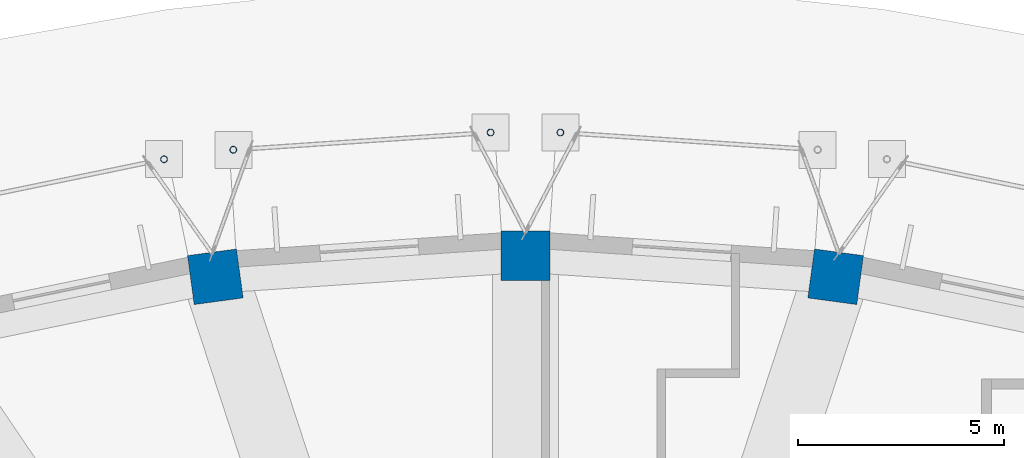
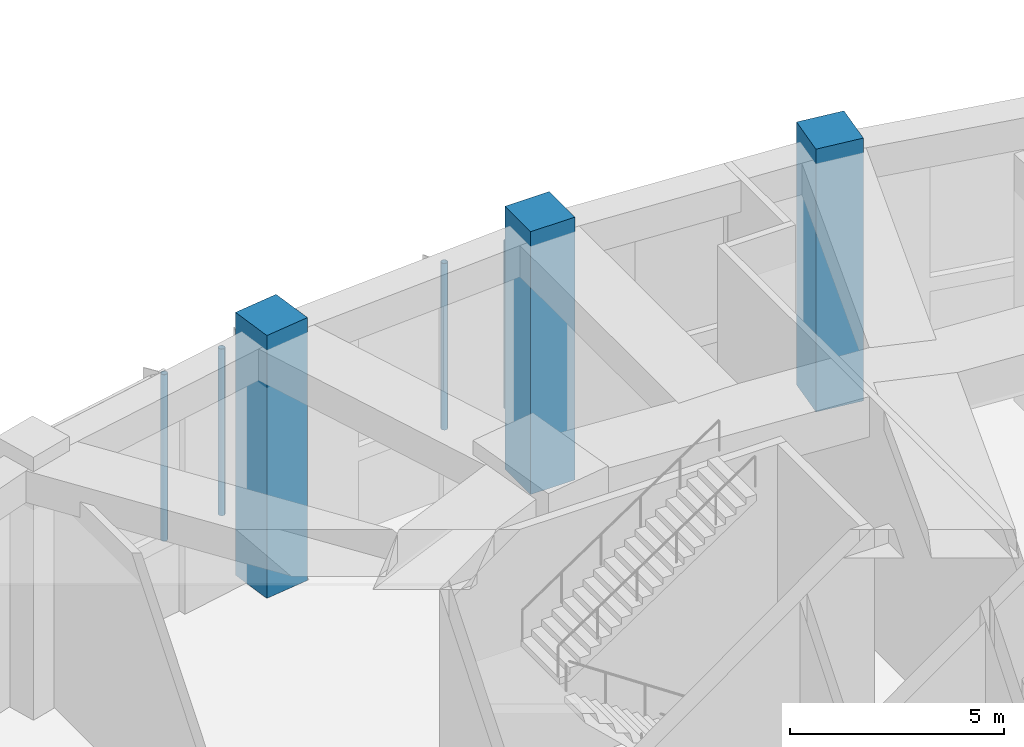
# One storey, part 19 of 60: 7 columns.
"""IFC4 building model written with IfcOpenShell, lengths in metres."""

from ifc_helpers import new_model, si_unit, direction, frame, origin, origin_2d, place, context, subcontext, project, spatial, rectangle, hollow_circle, extrude, material, material_profile, profile_set, type_object, element, save


model = new_model("IFC4")

# Units and contexts
model_context = context("Model", 3, precision=1e-05, world=origin(), true_north=direction((0.0, 1.0)))
body_context = subcontext(model_context, "Body", "Model", "MODEL_VIEW")
ifc_project = project(units=[si_unit("LENGTHUNIT", "METRE"), si_unit("AREAUNIT", "SQUARE_METRE"), si_unit("VOLUMEUNIT", "CUBIC_METRE"), si_unit("PLANEANGLEUNIT", "RADIAN"), si_unit("MASSUNIT", "GRAM", prefix="KILO")], contexts=[model_context])

# Site, building, storey
site_placement = place(None, origin())
site = spatial("IfcSite", under=ifc_project, at=site_placement, CompositionType="ELEMENT")
building_placement = place(site_placement, origin())
building = spatial("IfcBuilding", under=site, at=building_placement, Name="Taillehof Tower", CompositionType="ELEMENT")
storey_placement = place(building_placement, origin())
storey = spatial("IfcBuildingStorey", under=building, at=storey_placement, Name="L00", CompositionType="ELEMENT", Elevation=0.0)

# Columns
ifc_material_1 = material(Name="Steel S460M", Category="steel")
ifc_material_profile_1 = material_profile(ifc_material_1, hollow_circle(Radius=0.084228515625, WallThickness=0.008056640625, at=origin_2d()), Name="CHS 168.3x8")
ifc_profile_set_1 = profile_set([ifc_material_profile_1], Name="Steel S460M")
column_type_1 = type_object("IfcColumnType", Name="Canopy post CHS 168.3x8", PredefinedType="COLUMN", material=ifc_profile_set_1)
for number, where, z_axis, x_axis, name in (
    (1, (0.847900390625, 36.3994140625, -0.199951171875), (0.0, 0.0, 1.0), (1.0, 0.0, 0.0), "Canopy post E12"),
    (2, (-0.847900390625, 36.3994140625, -0.199951171875), (0.0, 0.0, 1.0), (1.0, 0.0, 0.0), "Canopy post E16"),
    (3, (-7.098388671875, 35.978515625, -0.199951171875), (0.0, 0.0, 1.0), (1.0, 0.0, 0.0), "Canopy post E16"),
    (4, (-8.783203125, 35.749267578125, -0.199951171875), (0.0, 0.0, 1.0), (1.0, 0.0, 0.0), "Canopy post E17"),
):
    element("IfcColumn", number, at=place(storey_placement, frame(where, z_axis=z_axis, x_axis=x_axis)), inside=storey, type_object=column_type_1, Name=name, PredefinedType="COLUMN", context=body_context, shape_type="SweptSolid", body=[
        extrude(hollow_circle(Radius=0.084228515625, WallThickness=0.008056640625, at=origin_2d()), origin(), (0.0, 0.0, 1.0), 4.7548828125),
    ])
ifc_material_2 = material(Name="Concrete C60/75", Category="concrete")
ifc_material_profile_2 = material_profile(ifc_material_2, rectangle(XDim=1.199951171875, YDim=1.199951171875, at=origin_2d()), Name="RC 1200x1200")
ifc_profile_set_2 = profile_set([ifc_material_profile_2], Name="Concrete C60/75")
column_type_2 = type_object("IfcColumnType", Name="Podium column C60/75 1200x1200", PredefinedType="COLUMN", material=ifc_profile_set_2)
for number, where, z_axis, x_axis, name in (
    (5, (7.536376953125, 32.892578125, 0.0), (0.0, 0.0, 1.0), (0.13500518998, 0.990844891332, 0.0), "Podium column PC09"),
    (6, (0.0, 33.39990234375, 0.0), (0.0, 0.0, 1.0), (0.0, 1.0, 0.0), "Podium column PC10"),
    (7, (-7.536376953125, 32.892578125, 0.0), (0.0, 0.0, 1.0), (-0.13500518998, 0.990844891332, 0.0), "Podium column PC11"),
):
    element("IfcColumn", number, at=place(storey_placement, frame(where, z_axis=z_axis, x_axis=x_axis)), inside=storey, type_object=column_type_2, Name=name, PredefinedType="COLUMN", context=body_context, shape_type="SweptSolid", body=[
        extrude(rectangle(XDim=1.199951171875, YDim=1.199951171875, at=origin_2d()), origin(), (0.0, 0.0, 1.0), 7.5),
    ])

save(model, "model.ifc")
